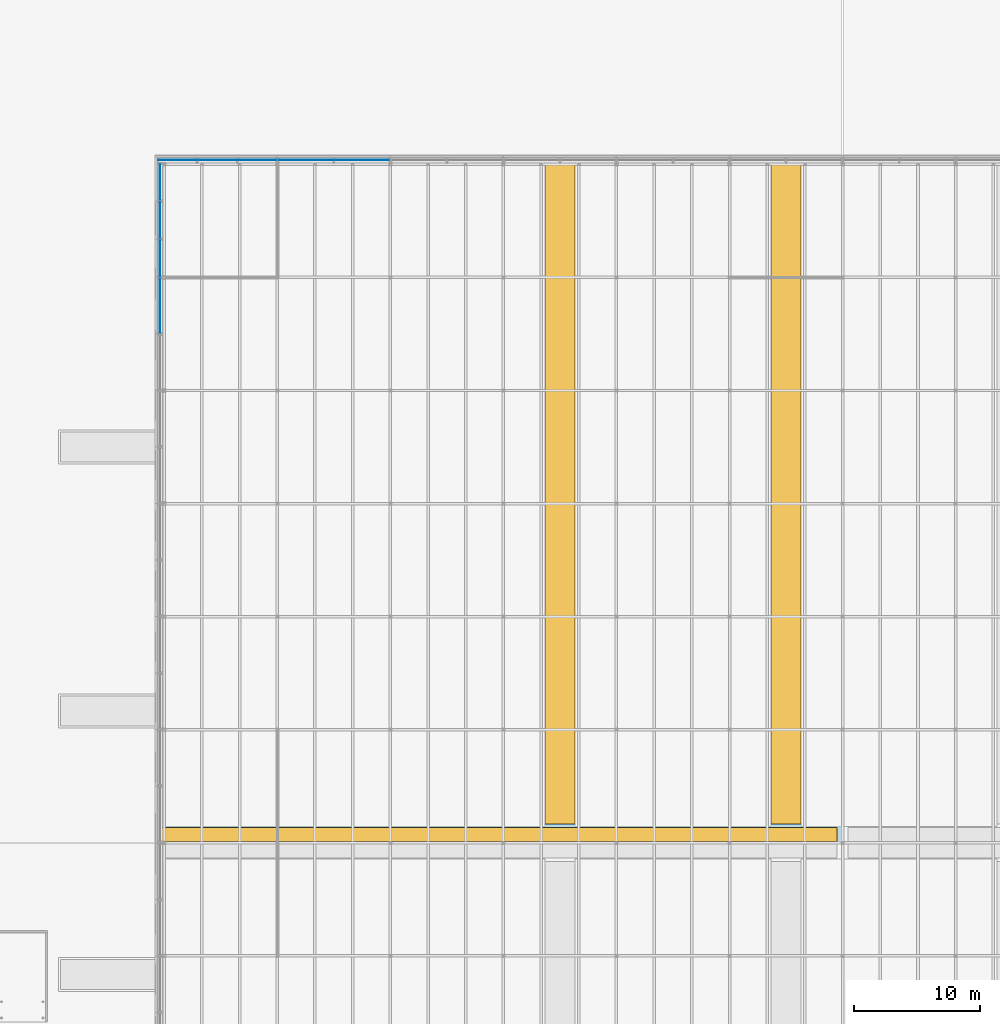
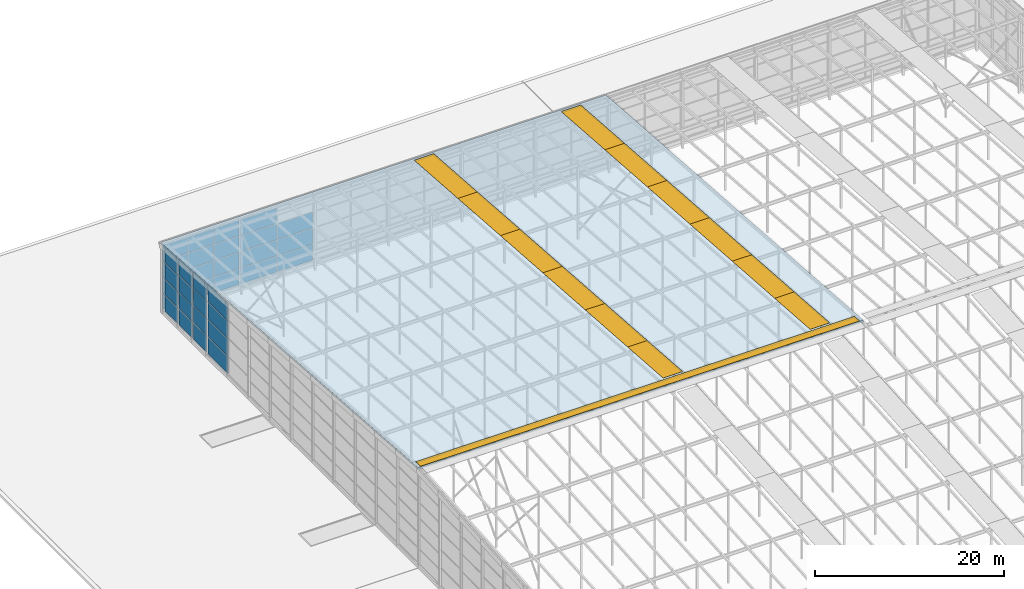
"""IFC4 building model written with IfcOpenShell, lengths in metres."""

from ifc_helpers import new_model, si_unit, direction, frame, origin, origin_2d, place, context, subcontext, project, spatial, polyline, rectangle, outline, extrude, material, layer, layer_set, type_object, element, fill, aggregate, save


model = new_model("IFC4")

# Units and contexts
model_context = context("Model", 3, precision=1e-05, world=origin(), true_north=direction((0.0, 1.0)))
body_context = subcontext(model_context, "Body", "Model", "MODEL_VIEW")
ifc_project = project(units=[si_unit("LENGTHUNIT", "METRE"), si_unit("AREAUNIT", "SQUARE_METRE"), si_unit("VOLUMEUNIT", "CUBIC_METRE"), si_unit("PLANEANGLEUNIT", "RADIAN"), si_unit("MASSUNIT", "GRAM", prefix="KILO")], contexts=[model_context])

# Site, building, storey
site_placement = place(None, origin())
site = spatial("IfcSite", under=ifc_project, at=site_placement, CompositionType="ELEMENT")
building_placement = place(site_placement, origin())
building = spatial("IfcBuilding", under=site, at=building_placement, Name="Silverbay Arena", CompositionType="ELEMENT")
storey_1_placement = place(building_placement, frame((0.0, 0.0, 47.10009765625)))
storey_1 = spatial("IfcBuildingStorey", under=building, at=storey_1_placement, Name="ROOF", CompositionType="ELEMENT", Elevation=47.10009765625)

# Slab, openings
ifc_material_1 = material(Name="Steel S350GD", Category="steel")
ifc_layer_1 = layer(ifc_material_1, 0.25)
ifc_layer_set_1 = layer_set([ifc_layer_1], Name="Steel S350GD")
slab_type = type_object("IfcSlabType", Name="Crown lid deck 250", PredefinedType="ROOF", material=ifc_layer_set_1)
slab_placement = place(storey_1_placement, frame((80.425048828125, 81.010009765625, 13.0498046875), z_axis=(0.0, 0.072032280133, 0.99740230129), x_axis=(1.0, 0.0, 0.0)))
slab = element("IfcSlab", 1, at=slab_placement, inside=storey_1, type_object=slab_type, Name="ROOF LID north 09", PredefinedType="ROOF", context=body_context, shape_type="SweptSolid", body=[
    extrude(outline(polyline([(0.0, 0.0), (54.530029296875, 0.0), (54.530029296875, 54.70705384945496), (0.0, 54.70705384945496), (0.0, 0.0)])), origin(), (0.0, 0.0, -1.0), 0.25),
])
placement_1 = place(slab_placement, origin())
opening_1 = element("IfcOpeningElement", 2, at=placement_1, cuts=slab, Name="Opening RL2", PredefinedType="OPENING", context=body_context, shape_type="SweptSolid", body=[
    extrude(outline(polyline([(30.875, 1.493896484375), (33.27490234375, 1.493896484375), (33.27490234375, 9.013427734375), (30.875, 9.013427734375), (30.875, 1.493896484375)])), frame((0.0, 0.0, 0.10009765625)), (0.0, 0.0, -1.0), 0.449951171875),
])
placement_2 = place(slab_placement, origin())
opening_2 = element("IfcOpeningElement", 3, at=placement_2, cuts=slab, Name="Opening RL2", PredefinedType="OPENING", context=body_context, shape_type="SweptSolid", body=[
    extrude(outline(polyline([(30.875, 9.013427734375), (33.27490234375, 9.013427734375), (33.27490234375, 18.036865234375), (30.875, 18.036865234375), (30.875, 9.013427734375)])), frame((0.0, 0.0, 0.10009765625)), (0.0, 0.0, -1.0), 0.449951171875),
])
placement_3 = place(slab_placement, origin())
opening_3 = element("IfcOpeningElement", 4, at=placement_3, cuts=slab, Name="Opening RL2", PredefinedType="OPENING", context=body_context, shape_type="SweptSolid", body=[
    extrude(outline(polyline([(30.875, 18.036865234375), (33.27490234375, 18.036865234375), (33.27490234375, 27.060302734375), (30.875, 27.060302734375), (30.875, 18.036865234375)])), frame((0.0, 0.0, 0.10009765625)), (0.0, 0.0, -1.0), 0.449951171875),
])
placement_4 = place(slab_placement, origin())
opening_4 = element("IfcOpeningElement", 5, at=placement_4, cuts=slab, Name="Opening RL2", PredefinedType="OPENING", context=body_context, shape_type="SweptSolid", body=[
    extrude(outline(polyline([(30.875, 27.060302734375), (33.27490234375, 27.060302734375), (33.27490234375, 36.083740234375), (30.875, 36.083740234375), (30.875, 27.060302734375)])), frame((0.0, 0.0, 0.10009765625)), (0.0, 0.0, -1.0), 0.449951171875),
])
placement_5 = place(slab_placement, origin())
opening_5 = element("IfcOpeningElement", 6, at=placement_5, cuts=slab, Name="Opening RL2", PredefinedType="OPENING", context=body_context, shape_type="SweptSolid", body=[
    extrude(outline(polyline([(30.875, 36.083740234375), (33.27490234375, 36.083740234375), (33.27490234375, 45.107177734375), (30.875, 45.107177734375), (30.875, 36.083740234375)])), frame((0.0, 0.0, 0.10009765625)), (0.0, 0.0, -1.0), 0.449951171875),
])
placement_6 = place(slab_placement, origin())
opening_6 = element("IfcOpeningElement", 7, at=placement_6, cuts=slab, Name="Opening RL2", PredefinedType="OPENING", context=body_context, shape_type="SweptSolid", body=[
    extrude(outline(polyline([(30.875, 45.107177734375), (33.27490234375, 45.107177734375), (33.27490234375, 54.40625), (30.875, 54.40625), (30.875, 45.107177734375)])), frame((0.0, 0.0, 0.10009765625)), (0.0, 0.0, -1.0), 0.449951171875),
])
placement_7 = place(slab_placement, origin())
opening_7 = element("IfcOpeningElement", 8, at=placement_7, cuts=slab, Name="Opening RL2", PredefinedType="OPENING", context=body_context, shape_type="SweptSolid", body=[
    extrude(outline(polyline([(48.875, 1.493896484375), (51.27490234375, 1.493896484375), (51.27490234375, 9.013427734375), (48.875, 9.013427734375), (48.875, 1.493896484375)])), frame((0.0, 0.0, 0.10009765625)), (0.0, 0.0, -1.0), 0.449951171875),
])
placement_8 = place(slab_placement, origin())
opening_8 = element("IfcOpeningElement", 9, at=placement_8, cuts=slab, Name="Opening RL2", PredefinedType="OPENING", context=body_context, shape_type="SweptSolid", body=[
    extrude(outline(polyline([(48.875, 9.013427734375), (51.27490234375, 9.013427734375), (51.27490234375, 18.036865234375), (48.875, 18.036865234375), (48.875, 9.013427734375)])), frame((0.0, 0.0, 0.10009765625)), (0.0, 0.0, -1.0), 0.449951171875),
])
placement_9 = place(slab_placement, origin())
opening_9 = element("IfcOpeningElement", 10, at=placement_9, cuts=slab, Name="Opening RL2", PredefinedType="OPENING", context=body_context, shape_type="SweptSolid", body=[
    extrude(outline(polyline([(48.875, 18.036865234375), (51.27490234375, 18.036865234375), (51.27490234375, 27.060302734375), (48.875, 27.060302734375), (48.875, 18.036865234375)])), frame((0.0, 0.0, 0.10009765625)), (0.0, 0.0, -1.0), 0.449951171875),
])
placement_10 = place(slab_placement, origin())
opening_10 = element("IfcOpeningElement", 11, at=placement_10, cuts=slab, Name="Opening RL2", PredefinedType="OPENING", context=body_context, shape_type="SweptSolid", body=[
    extrude(outline(polyline([(48.875, 27.060302734375), (51.27490234375, 27.060302734375), (51.27490234375, 36.083740234375), (48.875, 36.083740234375), (48.875, 27.060302734375)])), frame((0.0, 0.0, 0.10009765625)), (0.0, 0.0, -1.0), 0.449951171875),
])
placement_11 = place(slab_placement, origin())
opening_11 = element("IfcOpeningElement", 12, at=placement_11, cuts=slab, Name="Opening RL2", PredefinedType="OPENING", context=body_context, shape_type="SweptSolid", body=[
    extrude(outline(polyline([(48.875, 36.083740234375), (51.27490234375, 36.083740234375), (51.27490234375, 45.107177734375), (48.875, 45.107177734375), (48.875, 36.083740234375)])), frame((0.0, 0.0, 0.10009765625)), (0.0, 0.0, -1.0), 0.449951171875),
])
placement_12 = place(slab_placement, origin())
opening_12 = element("IfcOpeningElement", 13, at=placement_12, cuts=slab, Name="Opening RL2", PredefinedType="OPENING", context=body_context, shape_type="SweptSolid", body=[
    extrude(outline(polyline([(48.875, 45.107177734375), (51.27490234375, 45.107177734375), (51.27490234375, 54.40625), (48.875, 54.40625), (48.875, 45.107177734375)])), frame((0.0, 0.0, 0.10009765625)), (0.0, 0.0, -1.0), 0.449951171875),
])
placement_13 = place(slab_placement, origin())
opening_13 = element("IfcOpeningElement", 14, at=placement_13, cuts=slab, Name="Opening RL2", PredefinedType="OPENING", context=body_context, shape_type="SweptSolid", body=[
    extrude(outline(polyline([(0.39990234375, 0.09033203125), (54.1298828125, 0.09033203125), (54.1298828125, 1.193115234375), (0.39990234375, 1.193115234375), (0.39990234375, 0.09033203125)])), frame((0.0, 0.0, 0.10009765625)), (0.0, 0.0, -1.0), 0.449951171875),
])

# Storey
storey_2_placement = place(building_placement, frame((0.0, 0.0, 33.5)))
storey_2 = spatial("IfcBuildingStorey", under=building, at=storey_2_placement, Name="L05", CompositionType="ELEMENT", Elevation=33.5)

# Window
ifc_material_2 = material(Name="Aluminium framed glazing", Category="aluminium")
window_type = type_object("IfcWindowType", Name="Crown rooflight 2400", PartitioningType="SINGLE_PANEL", PredefinedType="SKYLIGHT", material=ifc_material_2)
window_1 = element("IfcWindow", 15, at=placement_1, inside=storey_2, type_object=window_type, Name="Crown rooflight north 27", OverallHeight=1.0, OverallWidth=1.0, PartitioningType="SINGLE_PANEL", PredefinedType="SKYLIGHT", context=body_context, shape_type="SweptSolid", body=[
    extrude(outline(polyline([(30.875, 1.493896484375), (33.27490234375, 1.493896484375), (33.27490234375, 9.013427734375), (30.875, 9.013427734375), (30.875, 1.493896484375)])), origin(), (0.0, 0.0, -1.0), 0.050048828125),
])

fill(opening_1, window_1)

window_2 = element("IfcWindow", 16, at=placement_2, inside=storey_2, type_object=window_type, Name="Crown rooflight north 28", OverallHeight=1.0, OverallWidth=1.0, PartitioningType="SINGLE_PANEL", PredefinedType="SKYLIGHT", context=body_context, shape_type="SweptSolid", body=[
    extrude(outline(polyline([(30.875, 9.013427734375), (33.27490234375, 9.013427734375), (33.27490234375, 18.036865234375), (30.875, 18.036865234375), (30.875, 9.013427734375)])), origin(), (0.0, 0.0, -1.0), 0.050048828125),
])

fill(opening_2, window_2)

window_3 = element("IfcWindow", 17, at=placement_3, inside=storey_2, type_object=window_type, Name="Crown rooflight north 29", OverallHeight=1.0, OverallWidth=1.0, PartitioningType="SINGLE_PANEL", PredefinedType="SKYLIGHT", context=body_context, shape_type="SweptSolid", body=[
    extrude(outline(polyline([(30.875, 18.036865234375), (33.27490234375, 18.036865234375), (33.27490234375, 27.060302734375), (30.875, 27.060302734375), (30.875, 18.036865234375)])), origin(), (0.0, 0.0, -1.0), 0.050048828125),
])

fill(opening_3, window_3)

window_4 = element("IfcWindow", 18, at=placement_4, inside=storey_2, type_object=window_type, Name="Crown rooflight north 30", OverallHeight=1.0, OverallWidth=1.0, PartitioningType="SINGLE_PANEL", PredefinedType="SKYLIGHT", context=body_context, shape_type="SweptSolid", body=[
    extrude(outline(polyline([(30.875, 27.060302734375), (33.27490234375, 27.060302734375), (33.27490234375, 36.083740234375), (30.875, 36.083740234375), (30.875, 27.060302734375)])), origin(), (0.0, 0.0, -1.0), 0.050048828125),
])

fill(opening_4, window_4)

window_5 = element("IfcWindow", 19, at=placement_5, inside=storey_2, type_object=window_type, Name="Crown rooflight north 31", OverallHeight=1.0, OverallWidth=1.0, PartitioningType="SINGLE_PANEL", PredefinedType="SKYLIGHT", context=body_context, shape_type="SweptSolid", body=[
    extrude(outline(polyline([(30.875, 36.083740234375), (33.27490234375, 36.083740234375), (33.27490234375, 45.107177734375), (30.875, 45.107177734375), (30.875, 36.083740234375)])), origin(), (0.0, 0.0, -1.0), 0.050048828125),
])

fill(opening_5, window_5)

window_6 = element("IfcWindow", 20, at=placement_6, inside=storey_2, type_object=window_type, Name="Crown rooflight north 32", OverallHeight=1.0, OverallWidth=1.0, PartitioningType="SINGLE_PANEL", PredefinedType="SKYLIGHT", context=body_context, shape_type="SweptSolid", body=[
    extrude(outline(polyline([(30.875, 45.107177734375), (33.27490234375, 45.107177734375), (33.27490234375, 54.40625), (30.875, 54.40625), (30.875, 45.107177734375)])), origin(), (0.0, 0.0, -1.0), 0.050048828125),
])

fill(opening_6, window_6)

window_7 = element("IfcWindow", 21, at=placement_7, inside=storey_2, type_object=window_type, Name="Crown rooflight north 33", OverallHeight=1.0, OverallWidth=1.0, PartitioningType="SINGLE_PANEL", PredefinedType="SKYLIGHT", context=body_context, shape_type="SweptSolid", body=[
    extrude(outline(polyline([(48.875, 1.493896484375), (51.27490234375, 1.493896484375), (51.27490234375, 9.013427734375), (48.875, 9.013427734375), (48.875, 1.493896484375)])), origin(), (0.0, 0.0, -1.0), 0.050048828125),
])

fill(opening_7, window_7)

window_8 = element("IfcWindow", 22, at=placement_8, inside=storey_2, type_object=window_type, Name="Crown rooflight north 34", OverallHeight=1.0, OverallWidth=1.0, PartitioningType="SINGLE_PANEL", PredefinedType="SKYLIGHT", context=body_context, shape_type="SweptSolid", body=[
    extrude(outline(polyline([(48.875, 9.013427734375), (51.27490234375, 9.013427734375), (51.27490234375, 18.036865234375), (48.875, 18.036865234375), (48.875, 9.013427734375)])), origin(), (0.0, 0.0, -1.0), 0.050048828125),
])

fill(opening_8, window_8)

window_9 = element("IfcWindow", 23, at=placement_9, inside=storey_2, type_object=window_type, Name="Crown rooflight north 35", OverallHeight=1.0, OverallWidth=1.0, PartitioningType="SINGLE_PANEL", PredefinedType="SKYLIGHT", context=body_context, shape_type="SweptSolid", body=[
    extrude(outline(polyline([(48.875, 18.036865234375), (51.27490234375, 18.036865234375), (51.27490234375, 27.060302734375), (48.875, 27.060302734375), (48.875, 18.036865234375)])), origin(), (0.0, 0.0, -1.0), 0.050048828125),
])

fill(opening_9, window_9)

window_10 = element("IfcWindow", 24, at=placement_10, inside=storey_2, type_object=window_type, Name="Crown rooflight north 36", OverallHeight=1.0, OverallWidth=1.0, PartitioningType="SINGLE_PANEL", PredefinedType="SKYLIGHT", context=body_context, shape_type="SweptSolid", body=[
    extrude(outline(polyline([(48.875, 27.060302734375), (51.27490234375, 27.060302734375), (51.27490234375, 36.083740234375), (48.875, 36.083740234375), (48.875, 27.060302734375)])), origin(), (0.0, 0.0, -1.0), 0.050048828125),
])

fill(opening_10, window_10)

window_11 = element("IfcWindow", 25, at=placement_11, inside=storey_2, type_object=window_type, Name="Crown rooflight north 37", OverallHeight=1.0, OverallWidth=1.0, PartitioningType="SINGLE_PANEL", PredefinedType="SKYLIGHT", context=body_context, shape_type="SweptSolid", body=[
    extrude(outline(polyline([(48.875, 36.083740234375), (51.27490234375, 36.083740234375), (51.27490234375, 45.107177734375), (48.875, 45.107177734375), (48.875, 36.083740234375)])), origin(), (0.0, 0.0, -1.0), 0.050048828125),
])

fill(opening_11, window_11)

window_12 = element("IfcWindow", 26, at=placement_12, inside=storey_2, type_object=window_type, Name="Crown rooflight north 38", OverallHeight=1.0, OverallWidth=1.0, PartitioningType="SINGLE_PANEL", PredefinedType="SKYLIGHT", context=body_context, shape_type="SweptSolid", body=[
    extrude(outline(polyline([(48.875, 45.107177734375), (51.27490234375, 45.107177734375), (51.27490234375, 54.40625), (48.875, 54.40625), (48.875, 45.107177734375)])), origin(), (0.0, 0.0, -1.0), 0.050048828125),
])

fill(opening_12, window_12)

window_13 = element("IfcWindow", 27, at=placement_13, inside=storey_2, type_object=window_type, Name="Crown ridge rooflight north 51", OverallHeight=1.0, OverallWidth=1.0, PartitioningType="SINGLE_PANEL", PredefinedType="SKYLIGHT", context=body_context, shape_type="SweptSolid", body=[
    extrude(outline(polyline([(0.39990234375, 0.09033203125), (54.1298828125, 0.09033203125), (54.1298828125, 1.193115234375), (0.39990234375, 1.193115234375), (0.39990234375, 0.09033203125)])), origin(), (0.0, 0.0, -1.0), 0.050048828125),
])

fill(opening_13, window_13)

# Curtain wall, plates
ifc_material_3 = material(Name="Aluminium framed glazing", Category="aluminium")
curtain_wall_type_1 = type_object("IfcCurtainWallType", Name="Curtain wall crown 9575 x 8425", PredefinedType="NOTDEFINED", material=ifc_material_3)
curtain_wall_1_placement = place(storey_1_placement, origin())
curtain_wall_1 = element("IfcCurtainWall", 28, at=curtain_wall_1_placement, inside=storey_1, type_object=curtain_wall_type_1, Name="ROOF CROWN CURTAIN WALL north bay 01", PredefinedType="NOTDEFINED")
ifc_material_4 = material(Name="Laminated glass", Category="glass")
ifc_layer_2 = layer(ifc_material_4, 0.031982421875)
ifc_layer_set_2 = layer_set([ifc_layer_2], Name="Laminated glass")
plate_type = type_object("IfcPlateType", Name="Glass panel 32", PredefinedType="CURTAIN_PANEL", material=ifc_layer_set_2)
plate_1_placement = place(storey_2_placement, frame((82.0458984375, 135.35009765625, 14.110107421875), z_axis=(0.0, 0.0, 1.0), x_axis=(1.0, 0.0, 0.0)))
plate_1 = element("IfcPlate", 29, at=plate_1_placement, type_object=plate_type, Name="CW61 panel 1.1", PredefinedType="CURTAIN_PANEL", context=body_context, shape_type="SweptSolid", body=[
    extrude(rectangle(XDim=3.041748046875, YDim=0.031982421875, at=origin_2d()), origin(), (0.0, 0.0, 1.0), 2.01611328125),
])
plate_2_placement = place(storey_2_placement, frame((82.0458984375, 135.35009765625, 16.18603515625), z_axis=(0.0, 0.0, 1.0), x_axis=(1.0, 0.0, 0.0)))
plate_2 = element("IfcPlate", 30, at=plate_2_placement, type_object=plate_type, Name="CW61 panel 1.2", PredefinedType="CURTAIN_PANEL", context=body_context, shape_type="SweptSolid", body=[
    extrude(rectangle(XDim=3.041748046875, YDim=0.031982421875, at=origin_2d()), origin(), (0.0, 0.0, 1.0), 2.046142578125),
])
plate_3_placement = place(storey_2_placement, frame((82.0458984375, 135.35009765625, 18.29248046875), z_axis=(0.0, 0.0, 1.0), x_axis=(1.0, 0.0, 0.0)))
plate_3 = element("IfcPlate", 31, at=plate_3_placement, type_object=plate_type, Name="CW61 panel 1.3", PredefinedType="CURTAIN_PANEL", context=body_context, shape_type="SweptSolid", body=[
    extrude(rectangle(XDim=3.041748046875, YDim=0.031982421875, at=origin_2d()), origin(), (0.0, 0.0, 1.0), 2.046142578125),
])
plate_4_placement = place(storey_2_placement, frame((82.0458984375, 135.35009765625, 20.398681640625), z_axis=(0.0, 0.0, 1.0), x_axis=(1.0, 0.0, 0.0)))
plate_4 = element("IfcPlate", 32, at=plate_4_placement, type_object=plate_type, Name="CW61 panel 1.4", PredefinedType="CURTAIN_PANEL", context=body_context, shape_type="SweptSolid", body=[
    extrude(rectangle(XDim=3.041748046875, YDim=0.031982421875, at=origin_2d()), origin(), (0.0, 0.0, 1.0), 2.01611328125),
])
plate_5_placement = place(storey_2_placement, frame((85.21240234375, 135.35009765625, 14.110107421875), z_axis=(0.0, 0.0, 1.0), x_axis=(1.0, 0.0, 0.0)))
plate_5 = element("IfcPlate", 33, at=plate_5_placement, type_object=plate_type, Name="CW61 panel 2.1", PredefinedType="CURTAIN_PANEL", context=body_context, shape_type="SweptSolid", body=[
    extrude(rectangle(XDim=3.091552734375, YDim=0.031982421875, at=origin_2d()), origin(), (0.0, 0.0, 1.0), 2.01611328125),
])
plate_6_placement = place(storey_2_placement, frame((85.21240234375, 135.35009765625, 16.18603515625), z_axis=(0.0, 0.0, 1.0), x_axis=(1.0, 0.0, 0.0)))
plate_6 = element("IfcPlate", 34, at=plate_6_placement, type_object=plate_type, Name="CW61 panel 2.2", PredefinedType="CURTAIN_PANEL", context=body_context, shape_type="SweptSolid", body=[
    extrude(rectangle(XDim=3.091552734375, YDim=0.031982421875, at=origin_2d()), origin(), (0.0, 0.0, 1.0), 2.046142578125),
])
plate_7_placement = place(storey_2_placement, frame((85.21240234375, 135.35009765625, 18.29248046875), z_axis=(0.0, 0.0, 1.0), x_axis=(1.0, 0.0, 0.0)))
plate_7 = element("IfcPlate", 35, at=plate_7_placement, type_object=plate_type, Name="CW61 panel 2.3", PredefinedType="CURTAIN_PANEL", context=body_context, shape_type="SweptSolid", body=[
    extrude(rectangle(XDim=3.091552734375, YDim=0.031982421875, at=origin_2d()), origin(), (0.0, 0.0, 1.0), 2.046142578125),
])
plate_8_placement = place(storey_2_placement, frame((85.21240234375, 135.35009765625, 20.398681640625), z_axis=(0.0, 0.0, 1.0), x_axis=(1.0, 0.0, 0.0)))
plate_8 = element("IfcPlate", 36, at=plate_8_placement, type_object=plate_type, Name="CW61 panel 2.4", PredefinedType="CURTAIN_PANEL", context=body_context, shape_type="SweptSolid", body=[
    extrude(rectangle(XDim=3.091552734375, YDim=0.031982421875, at=origin_2d()), origin(), (0.0, 0.0, 1.0), 2.01611328125),
])
plate_9_placement = place(storey_2_placement, frame((88.379150390625, 135.35009765625, 14.110107421875), z_axis=(0.0, 0.0, 1.0), x_axis=(1.0, 0.0, 0.0)))
plate_9 = element("IfcPlate", 37, at=plate_9_placement, type_object=plate_type, Name="CW61 panel 3.1", PredefinedType="CURTAIN_PANEL", context=body_context, shape_type="SweptSolid", body=[
    extrude(rectangle(XDim=3.041748046875, YDim=0.031982421875, at=origin_2d()), origin(), (0.0, 0.0, 1.0), 2.01611328125),
])
plate_10_placement = place(storey_2_placement, frame((88.379150390625, 135.35009765625, 16.18603515625), z_axis=(0.0, 0.0, 1.0), x_axis=(1.0, 0.0, 0.0)))
plate_10 = element("IfcPlate", 38, at=plate_10_placement, type_object=plate_type, Name="CW61 panel 3.2", PredefinedType="CURTAIN_PANEL", context=body_context, shape_type="SweptSolid", body=[
    extrude(rectangle(XDim=3.041748046875, YDim=0.031982421875, at=origin_2d()), origin(), (0.0, 0.0, 1.0), 2.046142578125),
])
plate_11_placement = place(storey_2_placement, frame((88.379150390625, 135.35009765625, 18.29248046875), z_axis=(0.0, 0.0, 1.0), x_axis=(1.0, 0.0, 0.0)))
plate_11 = element("IfcPlate", 39, at=plate_11_placement, type_object=plate_type, Name="CW61 panel 3.3", PredefinedType="CURTAIN_PANEL", context=body_context, shape_type="SweptSolid", body=[
    extrude(rectangle(XDim=3.041748046875, YDim=0.031982421875, at=origin_2d()), origin(), (0.0, 0.0, 1.0), 2.046142578125),
])
plate_12_placement = place(storey_2_placement, frame((88.379150390625, 135.35009765625, 20.398681640625), z_axis=(0.0, 0.0, 1.0), x_axis=(1.0, 0.0, 0.0)))
plate_12 = element("IfcPlate", 40, at=plate_12_placement, type_object=plate_type, Name="CW61 panel 3.4", PredefinedType="CURTAIN_PANEL", context=body_context, shape_type="SweptSolid", body=[
    extrude(rectangle(XDim=3.041748046875, YDim=0.031982421875, at=origin_2d()), origin(), (0.0, 0.0, 1.0), 2.01611328125),
])
aggregate(curtain_wall_1, [plate_1, plate_2, plate_3, plate_4, plate_5, plate_6, plate_7, plate_8, plate_9, plate_10, plate_11, plate_12])

ifc_material_5 = material(Name="Aluminium framed glazing", Category="aluminium")
curtain_wall_type_2 = type_object("IfcCurtainWallType", Name="Curtain wall crown 9000 x 8425", PredefinedType="NOTDEFINED", material=ifc_material_5)
curtain_wall_2_placement = place(storey_1_placement, origin())
curtain_wall_2 = element("IfcCurtainWall", 41, at=curtain_wall_2_placement, inside=storey_1, type_object=curtain_wall_type_2, Name="ROOF CROWN CURTAIN WALL north bay 02", PredefinedType="NOTDEFINED")
plate_13_placement = place(storey_2_placement, frame((92.27490234375, 135.35009765625, 14.110107421875), z_axis=(0.0, 0.0, 1.0), x_axis=(1.0, 0.0, 0.0)))
plate_13 = element("IfcPlate", 42, at=plate_13_placement, type_object=plate_type, Name="CW62 panel 1.1", PredefinedType="CURTAIN_PANEL", context=body_context, shape_type="SweptSolid", body=[
    extrude(rectangle(XDim=4.35009765625, YDim=0.031982421875, at=origin_2d()), origin(), (0.0, 0.0, 1.0), 2.01611328125),
])
plate_14_placement = place(storey_2_placement, frame((92.27490234375, 135.35009765625, 16.18603515625), z_axis=(0.0, 0.0, 1.0), x_axis=(1.0, 0.0, 0.0)))
plate_14 = element("IfcPlate", 43, at=plate_14_placement, type_object=plate_type, Name="CW62 panel 1.2", PredefinedType="CURTAIN_PANEL", context=body_context, shape_type="SweptSolid", body=[
    extrude(rectangle(XDim=4.35009765625, YDim=0.031982421875, at=origin_2d()), origin(), (0.0, 0.0, 1.0), 2.046142578125),
])
plate_15_placement = place(storey_2_placement, frame((92.27490234375, 135.35009765625, 18.29248046875), z_axis=(0.0, 0.0, 1.0), x_axis=(1.0, 0.0, 0.0)))
plate_15 = element("IfcPlate", 44, at=plate_15_placement, type_object=plate_type, Name="CW62 panel 1.3", PredefinedType="CURTAIN_PANEL", context=body_context, shape_type="SweptSolid", body=[
    extrude(rectangle(XDim=4.35009765625, YDim=0.031982421875, at=origin_2d()), origin(), (0.0, 0.0, 1.0), 2.046142578125),
])
plate_16_placement = place(storey_2_placement, frame((92.27490234375, 135.35009765625, 20.398681640625), z_axis=(0.0, 0.0, 1.0), x_axis=(1.0, 0.0, 0.0)))
plate_16 = element("IfcPlate", 45, at=plate_16_placement, type_object=plate_type, Name="CW62 panel 1.4", PredefinedType="CURTAIN_PANEL", context=body_context, shape_type="SweptSolid", body=[
    extrude(rectangle(XDim=4.35009765625, YDim=0.031982421875, at=origin_2d()), origin(), (0.0, 0.0, 1.0), 2.01611328125),
])
plate_17_placement = place(storey_2_placement, frame((96.72509765625, 135.35009765625, 14.110107421875), z_axis=(0.0, 0.0, 1.0), x_axis=(1.0, 0.0, 0.0)))
plate_17 = element("IfcPlate", 46, at=plate_17_placement, type_object=plate_type, Name="CW62 panel 2.1", PredefinedType="CURTAIN_PANEL", context=body_context, shape_type="SweptSolid", body=[
    extrude(rectangle(XDim=4.35009765625, YDim=0.031982421875, at=origin_2d()), origin(), (0.0, 0.0, 1.0), 2.01611328125),
])
plate_18_placement = place(storey_2_placement, frame((96.72509765625, 135.35009765625, 16.18603515625), z_axis=(0.0, 0.0, 1.0), x_axis=(1.0, 0.0, 0.0)))
plate_18 = element("IfcPlate", 47, at=plate_18_placement, type_object=plate_type, Name="CW62 panel 2.2", PredefinedType="CURTAIN_PANEL", context=body_context, shape_type="SweptSolid", body=[
    extrude(rectangle(XDim=4.35009765625, YDim=0.031982421875, at=origin_2d()), origin(), (0.0, 0.0, 1.0), 2.046142578125),
])
plate_19_placement = place(storey_2_placement, frame((96.72509765625, 135.35009765625, 18.29248046875), z_axis=(0.0, 0.0, 1.0), x_axis=(1.0, 0.0, 0.0)))
plate_19 = element("IfcPlate", 48, at=plate_19_placement, type_object=plate_type, Name="CW62 panel 2.3", PredefinedType="CURTAIN_PANEL", context=body_context, shape_type="SweptSolid", body=[
    extrude(rectangle(XDim=4.35009765625, YDim=0.031982421875, at=origin_2d()), origin(), (0.0, 0.0, 1.0), 2.046142578125),
])
aggregate(curtain_wall_2, [plate_13, plate_14, plate_15, plate_16, plate_17, plate_18, plate_19])

ifc_material_6 = material(Name="Aluminium framed glazing", Category="aluminium")
curtain_wall_type_3 = type_object("IfcCurtainWallType", Name="Curtain wall crown 4500 x 9100", PredefinedType="NOTDEFINED", material=ifc_material_6)
curtain_wall_3_placement = place(storey_1_placement, origin())
curtain_wall_3 = element("IfcCurtainWall", 49, at=curtain_wall_3_placement, inside=storey_1, type_object=curtain_wall_type_3, Name="ROOF CROWN CURTAIN WALL west bay 23", PredefinedType="NOTDEFINED")
plate_20_placement = place(storey_2_placement, frame((80.64990234375, 123.75, 14.10986328125), z_axis=(0.0, 0.0, 1.0), x_axis=(0.0, 1.0, 0.0)))
plate_20 = element("IfcPlate", 50, at=plate_20_placement, type_object=plate_type, Name="CW66 panel 1.1", PredefinedType="CURTAIN_PANEL", context=body_context, shape_type="SweptSolid", body=[
    extrude(rectangle(XDim=4.300048828125, YDim=0.031982421875, at=origin_2d()), origin(), (0.0, 0.0, 1.0), 2.18505859375),
])
plate_21_placement = place(storey_2_placement, frame((80.64990234375, 123.75, 16.35498046875), z_axis=(0.0, 0.0, 1.0), x_axis=(0.0, 1.0, 0.0)))
plate_21 = element("IfcPlate", 51, at=plate_21_placement, type_object=plate_type, Name="CW66 panel 1.2", PredefinedType="CURTAIN_PANEL", context=body_context, shape_type="SweptSolid", body=[
    extrude(rectangle(XDim=4.300048828125, YDim=0.031982421875, at=origin_2d()), origin(), (0.0, 0.0, 1.0), 2.215087890625),
])
plate_22_placement = place(storey_2_placement, frame((80.64990234375, 123.75, 18.6298828125), z_axis=(0.0, 0.0, 1.0), x_axis=(0.0, 1.0, 0.0)))
plate_22 = element("IfcPlate", 52, at=plate_22_placement, type_object=plate_type, Name="CW66 panel 1.3", PredefinedType="CURTAIN_PANEL", context=body_context, shape_type="SweptSolid", body=[
    extrude(rectangle(XDim=4.300048828125, YDim=0.031982421875, at=origin_2d()), origin(), (0.0, 0.0, 1.0), 2.215087890625),
])
plate_23_placement = place(storey_2_placement, frame((80.64990234375, 123.75, 20.905029296875), z_axis=(0.0, 0.0, 1.0), x_axis=(0.0, 1.0, 0.0)))
plate_23 = element("IfcPlate", 53, at=plate_23_placement, type_object=plate_type, Name="CW66 panel 1.4", PredefinedType="CURTAIN_PANEL", context=body_context, shape_type="SweptSolid", body=[
    extrude(rectangle(XDim=4.300048828125, YDim=0.031982421875, at=origin_2d()), origin(), (0.0, 0.0, 1.0), 2.18505859375),
])
aggregate(curtain_wall_3, [plate_20, plate_21, plate_22, plate_23])

ifc_material_7 = material(Name="Aluminium framed glazing", Category="aluminium")
curtain_wall_type_4 = type_object("IfcCurtainWallType", Name="Curtain wall crown 3042 x 8880", PredefinedType="NOTDEFINED", material=ifc_material_7)
curtain_wall_4_placement = place(storey_1_placement, origin())
curtain_wall_4 = element("IfcCurtainWall", 54, at=curtain_wall_4_placement, inside=storey_1, type_object=curtain_wall_type_4, Name="ROOF CROWN CURTAIN WALL west bay 24", PredefinedType="NOTDEFINED")
plate_24_placement = place(storey_2_placement, frame((80.64990234375, 127.520751953125, 14.10986328125), z_axis=(0.0, 0.0, 1.0), x_axis=(0.0, 1.0, 0.0)))
plate_24 = element("IfcPlate", 55, at=plate_24_placement, type_object=plate_type, Name="CW65 panel 1.1", PredefinedType="CURTAIN_PANEL", context=body_context, shape_type="SweptSolid", body=[
    extrude(rectangle(XDim=2.841552734375, YDim=0.031982421875, at=origin_2d()), origin(), (0.0, 0.0, 1.0), 2.130126953125),
])
plate_25_placement = place(storey_2_placement, frame((80.64990234375, 127.520751953125, 16.300048828125), z_axis=(0.0, 0.0, 1.0), x_axis=(0.0, 1.0, 0.0)))
plate_25 = element("IfcPlate", 56, at=plate_25_placement, type_object=plate_type, Name="CW65 panel 1.2", PredefinedType="CURTAIN_PANEL", context=body_context, shape_type="SweptSolid", body=[
    extrude(rectangle(XDim=2.841552734375, YDim=0.031982421875, at=origin_2d()), origin(), (0.0, 0.0, 1.0), 2.16015625),
])
plate_26_placement = place(storey_2_placement, frame((80.64990234375, 127.520751953125, 18.52001953125), z_axis=(0.0, 0.0, 1.0), x_axis=(0.0, 1.0, 0.0)))
plate_26 = element("IfcPlate", 57, at=plate_26_placement, type_object=plate_type, Name="CW65 panel 1.3", PredefinedType="CURTAIN_PANEL", context=body_context, shape_type="SweptSolid", body=[
    extrude(rectangle(XDim=2.841552734375, YDim=0.031982421875, at=origin_2d()), origin(), (0.0, 0.0, 1.0), 2.16015625),
])
plate_27_placement = place(storey_2_placement, frame((80.64990234375, 127.520751953125, 20.740234375), z_axis=(0.0, 0.0, 1.0), x_axis=(0.0, 1.0, 0.0)))
plate_27 = element("IfcPlate", 58, at=plate_27_placement, type_object=plate_type, Name="CW65 panel 1.4", PredefinedType="CURTAIN_PANEL", context=body_context, shape_type="SweptSolid", body=[
    extrude(rectangle(XDim=2.841552734375, YDim=0.031982421875, at=origin_2d()), origin(), (0.0, 0.0, 1.0), 2.130126953125),
])
aggregate(curtain_wall_4, [plate_24, plate_25, plate_26, plate_27])

ifc_material_8 = material(Name="Aluminium framed glazing", Category="aluminium")
curtain_wall_type_5 = type_object("IfcCurtainWallType", Name="Curtain wall crown 3042 x 8661", PredefinedType="NOTDEFINED", material=ifc_material_8)
curtain_wall_5_placement = place(storey_1_placement, origin())
curtain_wall_5 = element("IfcCurtainWall", 59, at=curtain_wall_5_placement, inside=storey_1, type_object=curtain_wall_type_5, Name="ROOF CROWN CURTAIN WALL west bay 25", PredefinedType="NOTDEFINED")
plate_28_placement = place(storey_2_placement, frame((80.64990234375, 130.5625, 14.10986328125), z_axis=(0.0, 0.0, 1.0), x_axis=(0.0, 1.0, 0.0)))
plate_28 = element("IfcPlate", 60, at=plate_28_placement, type_object=plate_type, Name="CW64 panel 1.1", PredefinedType="CURTAIN_PANEL", context=body_context, shape_type="SweptSolid", body=[
    extrude(rectangle(XDim=2.841552734375, YDim=0.031982421875, at=origin_2d()), origin(), (0.0, 0.0, 1.0), 2.0751953125),
])
plate_29_placement = place(storey_2_placement, frame((80.64990234375, 130.5625, 16.2451171875), z_axis=(0.0, 0.0, 1.0), x_axis=(0.0, 1.0, 0.0)))
plate_29 = element("IfcPlate", 61, at=plate_29_placement, type_object=plate_type, Name="CW64 panel 1.2", PredefinedType="CURTAIN_PANEL", context=body_context, shape_type="SweptSolid", body=[
    extrude(rectangle(XDim=2.841552734375, YDim=0.031982421875, at=origin_2d()), origin(), (0.0, 0.0, 1.0), 2.105224609375),
])
plate_30_placement = place(storey_2_placement, frame((80.64990234375, 130.5625, 18.41015625), z_axis=(0.0, 0.0, 1.0), x_axis=(0.0, 1.0, 0.0)))
plate_30 = element("IfcPlate", 62, at=plate_30_placement, type_object=plate_type, Name="CW64 panel 1.3", PredefinedType="CURTAIN_PANEL", context=body_context, shape_type="SweptSolid", body=[
    extrude(rectangle(XDim=2.841552734375, YDim=0.031982421875, at=origin_2d()), origin(), (0.0, 0.0, 1.0), 2.105224609375),
])
plate_31_placement = place(storey_2_placement, frame((80.64990234375, 130.5625, 20.575439453125), z_axis=(0.0, 0.0, 1.0), x_axis=(0.0, 1.0, 0.0)))
plate_31 = element("IfcPlate", 63, at=plate_31_placement, type_object=plate_type, Name="CW64 panel 1.4", PredefinedType="CURTAIN_PANEL", context=body_context, shape_type="SweptSolid", body=[
    extrude(rectangle(XDim=2.841552734375, YDim=0.031982421875, at=origin_2d()), origin(), (0.0, 0.0, 1.0), 2.0751953125),
])
aggregate(curtain_wall_5, [plate_28, plate_29, plate_30, plate_31])

ifc_material_9 = material(Name="Aluminium framed glazing", Category="aluminium")
curtain_wall_type_6 = type_object("IfcCurtainWallType", Name="Curtain wall crown 3042 x 8441", PredefinedType="NOTDEFINED", material=ifc_material_9)
curtain_wall_6_placement = place(storey_1_placement, origin())
curtain_wall_6 = element("IfcCurtainWall", 64, at=curtain_wall_6_placement, inside=storey_1, type_object=curtain_wall_type_6, Name="ROOF CROWN CURTAIN WALL west bay 26", PredefinedType="NOTDEFINED")
plate_32_placement = place(storey_2_placement, frame((80.64990234375, 133.604248046875, 14.10986328125), z_axis=(0.0, 0.0, 1.0), x_axis=(0.0, 1.0, 0.0)))
plate_32 = element("IfcPlate", 65, at=plate_32_placement, type_object=plate_type, Name="CW63 panel 1.1", PredefinedType="CURTAIN_PANEL", context=body_context, shape_type="SweptSolid", body=[
    extrude(rectangle(XDim=2.841552734375, YDim=0.031982421875, at=origin_2d()), origin(), (0.0, 0.0, 1.0), 2.020263671875),
])
plate_33_placement = place(storey_2_placement, frame((80.64990234375, 133.604248046875, 16.190185546875), z_axis=(0.0, 0.0, 1.0), x_axis=(0.0, 1.0, 0.0)))
plate_33 = element("IfcPlate", 66, at=plate_33_placement, type_object=plate_type, Name="CW63 panel 1.2", PredefinedType="CURTAIN_PANEL", context=body_context, shape_type="SweptSolid", body=[
    extrude(rectangle(XDim=2.841552734375, YDim=0.031982421875, at=origin_2d()), origin(), (0.0, 0.0, 1.0), 2.05029296875),
])
plate_34_placement = place(storey_2_placement, frame((80.64990234375, 133.604248046875, 18.300537109375), z_axis=(0.0, 0.0, 1.0), x_axis=(0.0, 1.0, 0.0)))
plate_34 = element("IfcPlate", 67, at=plate_34_placement, type_object=plate_type, Name="CW63 panel 1.3", PredefinedType="CURTAIN_PANEL", context=body_context, shape_type="SweptSolid", body=[
    extrude(rectangle(XDim=2.841552734375, YDim=0.031982421875, at=origin_2d()), origin(), (0.0, 0.0, 1.0), 2.05029296875),
])
plate_35_placement = place(storey_2_placement, frame((80.64990234375, 133.604248046875, 20.41064453125), z_axis=(0.0, 0.0, 1.0), x_axis=(0.0, 1.0, 0.0)))
plate_35 = element("IfcPlate", 68, at=plate_35_placement, type_object=plate_type, Name="CW63 panel 1.4", PredefinedType="CURTAIN_PANEL", context=body_context, shape_type="SweptSolid", body=[
    extrude(rectangle(XDim=2.841552734375, YDim=0.031982421875, at=origin_2d()), origin(), (0.0, 0.0, 1.0), 2.020263671875),
])
aggregate(curtain_wall_6, [plate_32, plate_33, plate_34, plate_35])

save(model, "model.ifc")
